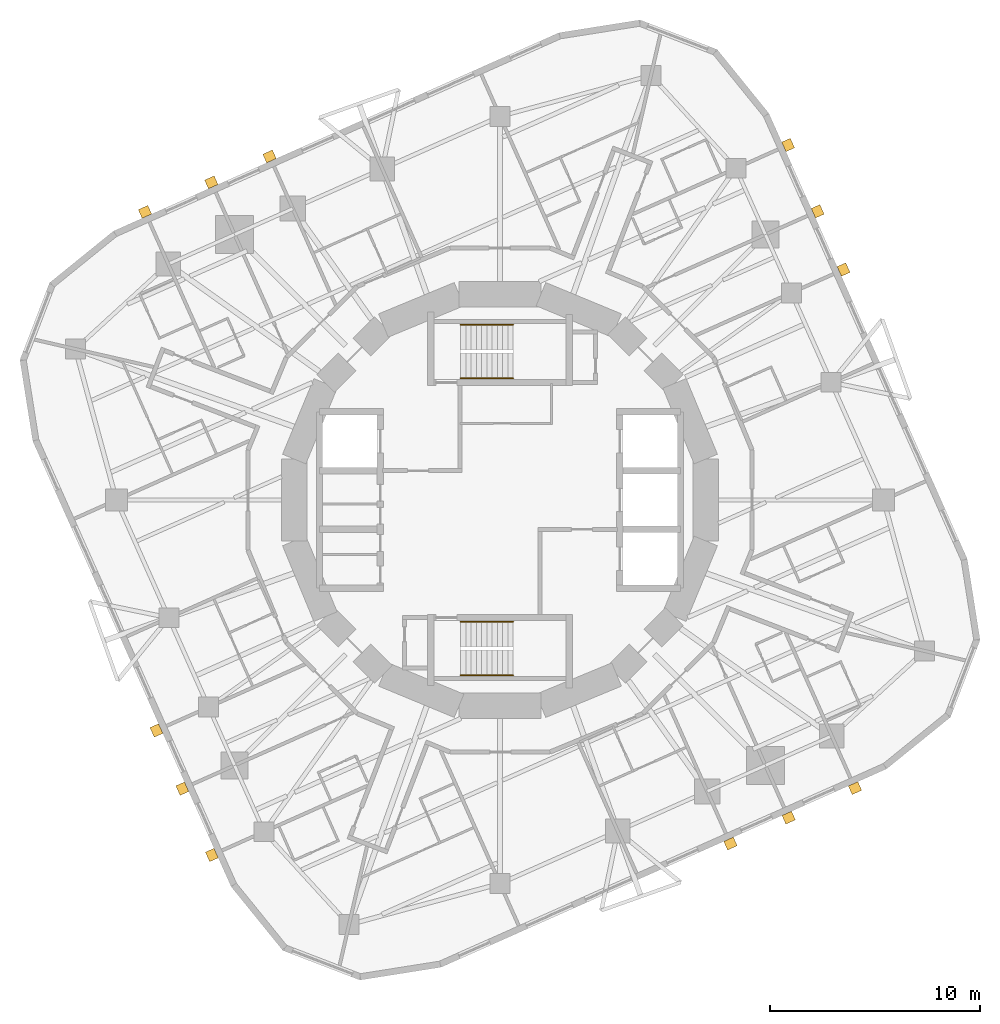
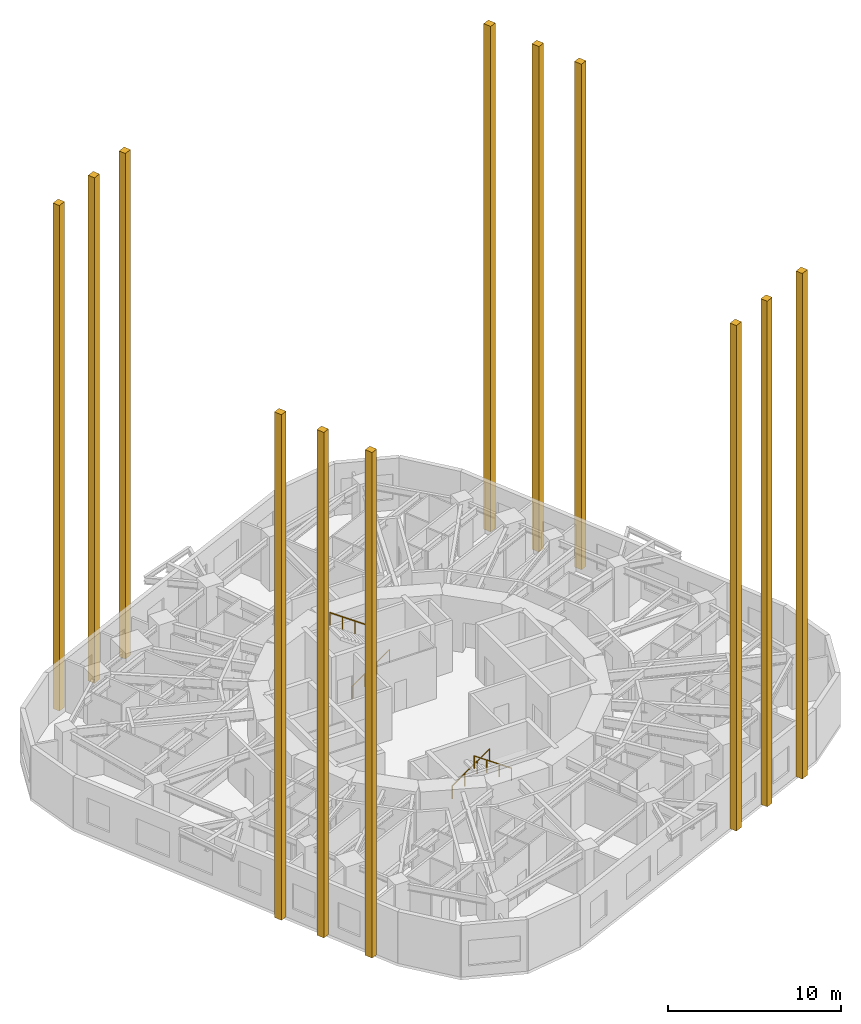
# One storey, part 11 of 11: 12 coverings, 4 railings.
"""IFC4 building model written with IfcOpenShell, lengths in metres."""

from ifc_helpers import new_model, si_unit, direction, frame, origin, origin_2d, place, context, subcontext, project, spatial, rectangle, circle, extrude, material, layer, layer_set, type_object, element, save


model = new_model("IFC4")

# Units and contexts
model_context = context("Model", 3, precision=1e-05, world=origin(), true_north=direction((0.0, 1.0)))
body_context = subcontext(model_context, "Body", "Model", "MODEL_VIEW")
ifc_project = project(units=[si_unit("LENGTHUNIT", "METRE"), si_unit("AREAUNIT", "SQUARE_METRE"), si_unit("VOLUMEUNIT", "CUBIC_METRE"), si_unit("PLANEANGLEUNIT", "RADIAN"), si_unit("MASSUNIT", "GRAM", prefix="KILO")], contexts=[model_context])

# Site, building, storey
site_placement = place(None, origin())
site = spatial("IfcSite", under=ifc_project, at=site_placement, CompositionType="ELEMENT")
building_placement = place(site_placement, origin())
building = spatial("IfcBuilding", under=site, at=building_placement, Name="Nakasero Lantern House", CompositionType="ELEMENT")
storey_placement = place(building_placement, frame((0.0, 0.0, 182.449951171875)))
storey = spatial("IfcBuildingStorey", under=building, at=storey_placement, Name="L44", CompositionType="ELEMENT", Elevation=182.449951171875)

# Coverings
ifc_material_1 = material(Name="Concrete C40/50 precast", Category="concrete")
ifc_layer = layer(ifc_material_1, 0.449951171875)
ifc_layer_set = layer_set([ifc_layer], Name="Buttress pier 500x450")
covering_type = type_object("IfcCoveringType", Name="Buttress pier 500x450", PredefinedType="CLADDING", material=ifc_layer_set)
for number, where, z_axis, x_axis, name in (
    (1, (16.373779296875, 10.981689453125, 0.0), (0.0, 0.0, 1.0), (0.913545457643, 0.406736643076, 0.0), "Buttress pier B5 0-00"),
    (2, (15.13818359375, 13.757080078125, 0.0), (0.0, 0.0, 1.0), (0.913545457643, 0.406736643076, 0.0), "Buttress pier B5 0-01"),
    (3, (13.731201171875, 16.917236328125, 0.0), (0.0, 0.0, 1.0), (0.913545457643, 0.406736643076, 0.0), "Buttress pier B5 0-02"),
    (4, (-10.981689453125, 16.373779296875, 0.0), (0.0, 0.0, 1.0), (-0.406736643076, 0.913545457643, 0.0), "Buttress pier B5 1-00"),
    (5, (-13.757080078125, 15.13818359375, 0.0), (0.0, 0.0, 1.0), (-0.406736643076, 0.913545457643, 0.0), "Buttress pier B5 1-01"),
    (6, (-16.917236328125, 13.731201171875, 0.0), (0.0, 0.0, 1.0), (-0.406736643076, 0.913545457643, 0.0), "Buttress pier B5 1-02"),
    (7, (-16.373779296875, -10.981689453125, 0.0), (0.0, 0.0, 1.0), (-0.913545457643, -0.406736643076, 0.0), "Buttress pier B5 2-00"),
    (8, (-15.13818359375, -13.757080078125, 0.0), (0.0, 0.0, 1.0), (-0.913545457643, -0.406736643076, 0.0), "Buttress pier B5 2-01"),
    (9, (-13.731201171875, -16.917236328125, 0.0), (0.0, 0.0, 1.0), (-0.913545457643, -0.406736643076, 0.0), "Buttress pier B5 2-02"),
    (10, (10.981689453125, -16.373779296875, 0.0), (0.0, 0.0, 1.0), (0.406736643076, -0.913545457643, 0.0), "Buttress pier B5 3-00"),
    (11, (13.757080078125, -15.13818359375, 0.0), (0.0, 0.0, 1.0), (0.406736643076, -0.913545457643, 0.0), "Buttress pier B5 3-01"),
    (12, (16.917236328125, -13.731201171875, 0.0), (0.0, 0.0, 1.0), (0.406736643076, -0.913545457643, 0.0), "Buttress pier B5 3-02"),
):
    element("IfcCovering", number, at=place(storey_placement, frame(where, z_axis=z_axis, x_axis=x_axis)), inside=storey, type_object=covering_type, Name=name, PredefinedType="CLADDING", context=body_context, shape_type="SweptSolid", body=[
        extrude(rectangle(XDim=0.449951171875, YDim=0.5, at=origin_2d()), origin(), (0.0, 0.0, 1.0), 35.75),
    ])

# Railings
ifc_material_2 = material(Name="Stainless steel 316", Category="steel")
railing_type = type_object("IfcRailingType", Name="Stair handrail 900", PredefinedType="HANDRAIL", material=ifc_material_2)
railing_1_placement = place(storey_placement, frame((-1.875, 5.800048828125, 0.175048828125)))
element("IfcRailing", 13, at=railing_1_placement, inside=storey, type_object=railing_type, Name="Handrail ST1 L44 flight 1", PredefinedType="HANDRAIL", context=body_context, shape_type="SweptSolid", body=[
    extrude(circle(Radius=0.02392578125, at=origin_2d()), frame((0.0, 0.0, 0.8759765625), z_axis=(0.819231920519, 0.0, 0.573462344363), x_axis=(0.0, 1.0, 0.0)), (0.0, 0.0, 1.0), 3.0517578125),
    extrude(circle(Radius=0.02099609375, at=origin_2d()), origin(), (0.0, 0.0, 1.0), 0.851806640625),
    extrude(circle(Radius=0.02099609375, at=origin_2d()), frame((0.833251953125, 0.0, 0.583251953125)), (0.0, 0.0, 1.0), 0.851806640625),
    extrude(circle(Radius=0.02099609375, at=origin_2d()), frame((1.666748046875, 0.0, 1.166748046875)), (0.0, 0.0, 1.0), 0.851806640625),
    extrude(circle(Radius=0.02099609375, at=origin_2d()), frame((2.5, 0.0, 1.75)), (0.0, 0.0, 1.0), 0.851806640625),
])
railing_2_placement = place(storey_placement, frame((0.625, 8.35009765625, 2.10009765625)))
element("IfcRailing", 14, at=railing_2_placement, inside=storey, type_object=railing_type, Name="Handrail ST1 L44 flight 2", PredefinedType="HANDRAIL", context=body_context, shape_type="SweptSolid", body=[
    extrude(circle(Radius=0.02392578125, at=origin_2d()), frame((0.0, 0.0, 0.8759765625), z_axis=(-0.819231920519, 0.0, 0.573462344363), x_axis=(0.0, -1.0, 0.0)), (0.0, 0.0, 1.0), 3.0517578125),
    extrude(circle(Radius=0.02099609375, at=origin_2d()), origin(), (0.0, 0.0, 1.0), 0.851806640625),
    extrude(circle(Radius=0.02099609375, at=origin_2d()), frame((-0.833251953125, 0.0, 0.583251953125)), (0.0, 0.0, 1.0), 0.851806640625),
    extrude(circle(Radius=0.02099609375, at=origin_2d()), frame((-1.666748046875, 0.0, 1.166748046875)), (0.0, 0.0, 1.0), 0.851806640625),
    extrude(circle(Radius=0.02099609375, at=origin_2d()), frame((-2.5, 0.0, 1.75)), (0.0, 0.0, 1.0), 0.851806640625),
])
railing_3_placement = place(storey_placement, frame((-1.875, -5.800048828125, 0.175048828125)))
element("IfcRailing", 15, at=railing_3_placement, inside=storey, type_object=railing_type, Name="Handrail ST2 L44 flight 1", PredefinedType="HANDRAIL", context=body_context, shape_type="SweptSolid", body=[
    extrude(circle(Radius=0.02392578125, at=origin_2d()), frame((0.0, 0.0, 0.8759765625), z_axis=(0.819231920519, 0.0, 0.573462344363), x_axis=(0.0, 1.0, 0.0)), (0.0, 0.0, 1.0), 3.0517578125),
    extrude(circle(Radius=0.02099609375, at=origin_2d()), origin(), (0.0, 0.0, 1.0), 0.851806640625),
    extrude(circle(Radius=0.02099609375, at=origin_2d()), frame((0.833251953125, 0.0, 0.583251953125)), (0.0, 0.0, 1.0), 0.851806640625),
    extrude(circle(Radius=0.02099609375, at=origin_2d()), frame((1.666748046875, 0.0, 1.166748046875)), (0.0, 0.0, 1.0), 0.851806640625),
    extrude(circle(Radius=0.02099609375, at=origin_2d()), frame((2.5, 0.0, 1.75)), (0.0, 0.0, 1.0), 0.851806640625),
])
railing_4_placement = place(storey_placement, frame((0.625, -8.35009765625, 2.10009765625)))
element("IfcRailing", 16, at=railing_4_placement, inside=storey, type_object=railing_type, Name="Handrail ST2 L44 flight 2", PredefinedType="HANDRAIL", context=body_context, shape_type="SweptSolid", body=[
    extrude(circle(Radius=0.02392578125, at=origin_2d()), frame((0.0, 0.0, 0.8759765625), z_axis=(-0.819231920519, 0.0, 0.573462344363), x_axis=(0.0, -1.0, 0.0)), (0.0, 0.0, 1.0), 3.0517578125),
    extrude(circle(Radius=0.02099609375, at=origin_2d()), origin(), (0.0, 0.0, 1.0), 0.851806640625),
    extrude(circle(Radius=0.02099609375, at=origin_2d()), frame((-0.833251953125, 0.0, 0.583251953125)), (0.0, 0.0, 1.0), 0.851806640625),
    extrude(circle(Radius=0.02099609375, at=origin_2d()), frame((-1.666748046875, 0.0, 1.166748046875)), (0.0, 0.0, 1.0), 0.851806640625),
    extrude(circle(Radius=0.02099609375, at=origin_2d()), frame((-2.5, 0.0, 1.75)), (0.0, 0.0, 1.0), 0.851806640625),
])

save(model, "model.ifc")
